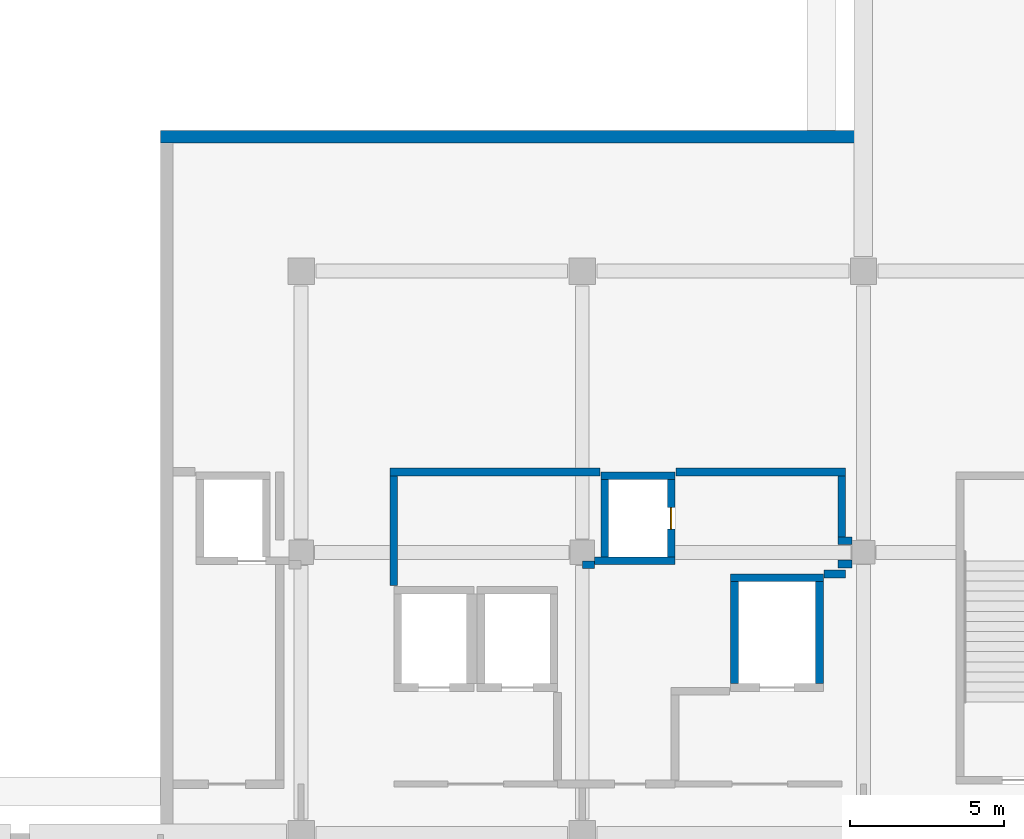
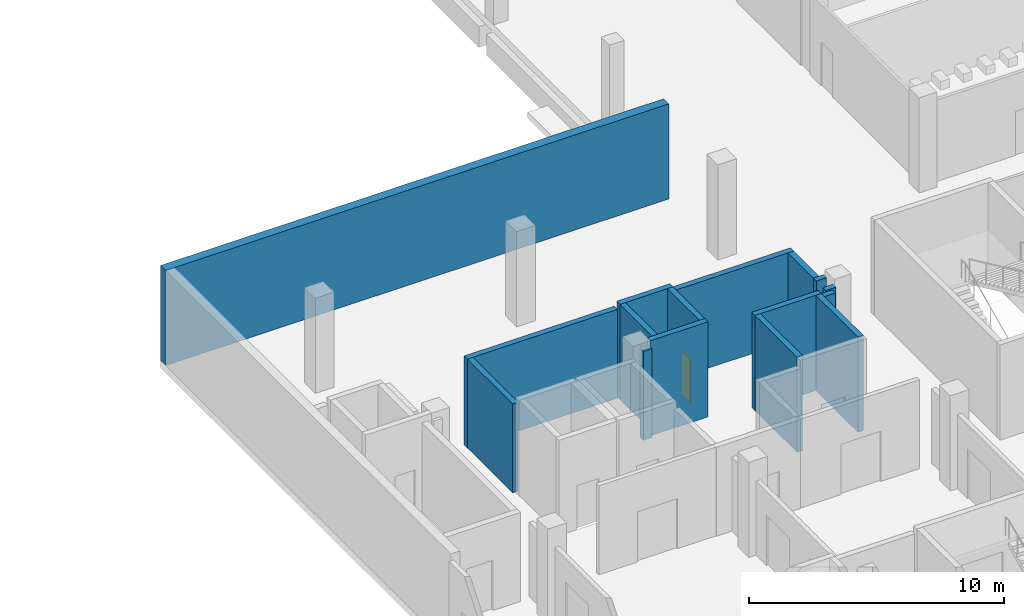
# One storey, part 79 of 126: 16 walls, 1 door, 1 opening.
"""IFC4 building model written with IfcOpenShell, lengths in metres."""

from ifc_helpers import new_model, si_unit, direction, frame, frame_2d, origin, place, context, subcontext, project, spatial, rectangle, extrude, material, layer, layer_set, type_object, element, fill, save


model = new_model("IFC4")

# Units and contexts
model_context = context("Model", 3, precision=1e-05, world=origin(), true_north=direction((0.0, 1.0)))
body_context = subcontext(model_context, "Body", "Model", "MODEL_VIEW")
ifc_project = project(units=[si_unit("LENGTHUNIT", "METRE"), si_unit("AREAUNIT", "SQUARE_METRE"), si_unit("VOLUMEUNIT", "CUBIC_METRE"), si_unit("PLANEANGLEUNIT", "RADIAN"), si_unit("MASSUNIT", "GRAM", prefix="KILO")], contexts=[model_context])

# Site, building, storey
site_placement = place(None, origin())
site = spatial("IfcSite", under=ifc_project, at=site_placement, CompositionType="ELEMENT")
building_placement = place(site_placement, origin())
building = spatial("IfcBuilding", under=site, at=building_placement, Name="Shirokan Park Arena", CompositionType="ELEMENT")
storey_placement = place(building_placement, frame((0.0, 0.0, 6.3701171875)))
storey = spatial("IfcBuildingStorey", under=building, at=storey_placement, Name="L01", CompositionType="ELEMENT", Elevation=6.3701171875)

# Walls
ifc_material_1 = material(Name="Plaster")
ifc_layer_1 = layer(ifc_material_1, 0.014892578125, Name="Plaster")
ifc_material_2 = material(Name="Concrete blockwork", Category="masonry")
ifc_layer_2 = layer(ifc_material_2, 0.219970703125, Name="Concrete blockwork 220")
ifc_layer_3 = layer(ifc_material_1, 0.014892578125, Name="Plaster")
ifc_layer_set_1 = layer_set([ifc_layer_1, ifc_layer_2, ifc_layer_3], Name="Plaster + Concrete blockwork 220")
wall_type_1 = type_object("IfcWallType", Name="Compartment wall 250", PredefinedType="SOLIDWALL", material=ifc_layer_set_1)
wall_1_placement = place(storey_placement, frame((112.074951171875, 29.89990234375, 0.0), z_axis=(0.0, 0.0, 1.0), x_axis=(1.0, 0.0, 0.0)))
element("IfcWall", 1, at=wall_1_placement, inside=storey, type_object=wall_type_1, Name="Compartment wall 250 L01", PredefinedType="SOLIDWALL", context=body_context, shape_type="SweptSolid", body=[
    extrude(rectangle(XDim=6.795166015625, YDim=0.25, at=frame_2d((3.3974609375, 0.0))), origin(), (0.0, 0.0, 1.0), 4.25),
])
wall_2_placement = place(storey_placement, frame((112.199951171875, 26.22998046875, 0.0), z_axis=(0.0, 0.0, 1.0), x_axis=(0.0, 1.0, 0.0)))
element("IfcWall", 2, at=wall_2_placement, inside=storey, type_object=wall_type_1, Name="Compartment wall 250 L01", PredefinedType="SOLIDWALL", context=body_context, shape_type="SweptSolid", body=[
    extrude(rectangle(XDim=3.544921875, YDim=0.25, at=frame_2d((1.7724609375, 0.0))), origin(), (0.0, 0.0, 1.0), 4.25),
])
wall_3_placement = place(storey_placement, frame((118.300048828125, 26.89990234375, 0.0), z_axis=(0.0, 0.0, 1.0), x_axis=(1.0, 0.0, 0.0)))
element("IfcWall", 3, at=wall_3_placement, inside=storey, type_object=wall_type_1, Name="Compartment wall 250 L01", PredefinedType="SOLIDWALL", context=body_context, shape_type="SweptSolid", body=[
    extrude(rectangle(XDim=0.39990234375, YDim=0.25, at=frame_2d((0.199951171875, 0.0))), origin(), (0.0, 0.0, 1.0), 4.25),
])
wall_4_placement = place(storey_placement, frame((121.330078125, 29.89990234375, 0.0), z_axis=(0.0, 0.0, 1.0), x_axis=(1.0, 0.0, 0.0)))
element("IfcWall", 4, at=wall_4_placement, inside=storey, type_object=wall_type_1, Name="Compartment wall 250 L01", PredefinedType="SOLIDWALL", context=body_context, shape_type="SweptSolid", body=[
    extrude(rectangle(XDim=5.494873046875, YDim=0.25, at=frame_2d((2.74755859375, 0.0))), origin(), (0.0, 0.0, 1.0), 4.25),
])
wall_5_placement = place(storey_placement, frame((126.574951171875, 26.925048828125, 0.0), z_axis=(0.0, 0.0, 1.0), x_axis=(1.0, 0.0, 0.0)))
element("IfcWall", 5, at=wall_5_placement, inside=storey, type_object=wall_type_1, Name="Compartment wall 250 L01", PredefinedType="SOLIDWALL", context=body_context, shape_type="SweptSolid", body=[
    extrude(rectangle(XDim=0.449951171875, YDim=0.25, at=frame_2d((0.22509765625, 0.0))), origin(), (0.0, 0.0, 1.0), 4.25),
])
wall_6_placement = place(storey_placement, frame((126.699951171875, 27.800048828125, 0.0), z_axis=(0.0, 0.0, 1.0), x_axis=(0.0, 1.0, 0.0)))
element("IfcWall", 6, at=wall_6_placement, inside=storey, type_object=wall_type_1, Name="Compartment wall 250 L01", PredefinedType="SOLIDWALL", context=body_context, shape_type="SweptSolid", body=[
    extrude(rectangle(XDim=1.974853515625, YDim=0.25, at=frame_2d((0.9873046875, 0.0))), origin(), (0.0, 0.0, 1.0), 4.25),
])
wall_7_placement = place(storey_placement, frame((126.824951171875, 26.60009765625, 0.0), z_axis=(0.0, 0.0, 1.0), x_axis=(-1.0, 0.0, 0.0)))
element("IfcWall", 7, at=wall_7_placement, inside=storey, type_object=wall_type_1, Name="Compartment wall 250 L01", PredefinedType="SOLIDWALL", context=body_context, shape_type="SweptSolid", body=[
    extrude(rectangle(XDim=0.695068359375, YDim=0.25, at=frame_2d((0.34765625, 0.0))), origin(), (0.0, 0.0, 1.0), 4.25),
])
wall_8_placement = place(storey_placement, frame((127.02490234375, 27.675048828125, 0.0), z_axis=(0.0, 0.0, 1.0), x_axis=(-1.0, 0.0, 0.0)))
element("IfcWall", 8, at=wall_8_placement, inside=storey, type_object=wall_type_1, Name="Compartment wall 250 L01", PredefinedType="SOLIDWALL", context=body_context, shape_type="SweptSolid", body=[
    extrude(rectangle(XDim=0.449951171875, YDim=0.25, at=frame_2d((0.22509765625, 0.0))), origin(), (0.0, 0.0, 1.0), 4.25),
])
ifc_material_3 = material(Name="Concrete C35", Category="concrete")
ifc_layer_4 = layer(ifc_material_3, 0.39990234375)
ifc_layer_set_2 = layer_set([ifc_layer_4], Name="Concrete C35 400 mm")
wall_type_2 = type_object("IfcWallType", Name="RC flank wall 400", PredefinedType="SHEAR", material=ifc_layer_set_2)
wall_9_placement = place(storey_placement, frame((104.64990234375, 40.75, 0.0), z_axis=(0.0, 0.0, 1.0), x_axis=(1.0, 0.0, 0.0)))
element("IfcWall", 9, at=wall_9_placement, inside=storey, type_object=wall_type_2, Name="Flank wall E1 L01", PredefinedType="SHEAR", context=body_context, shape_type="SweptSolid", body=[
    extrude(rectangle(XDim=22.75, YDim=0.39990234375, at=frame_2d((11.375, 0.0))), origin(), (0.0, 0.0, 1.0), 4.5498046875),
])
ifc_material_4 = material(Name="Concrete C40/50", Category="concrete")
ifc_layer_5 = layer(ifc_material_4, 0.25)
ifc_layer_set_3 = layer_set([ifc_layer_5], Name="Concrete C40/50 250 mm")
wall_type_3 = type_object("IfcWallType", Name="RC shear wall 250", PredefinedType="SHEAR", material=ifc_layer_set_3)
wall_10_placement = place(storey_placement, frame((121.300048828125, 27.02490234375, 0.0), z_axis=(0.0, 0.0, 1.0), x_axis=(-1.0, 0.0, 0.0)))
element("IfcWall", 10, at=wall_10_placement, inside=storey, type_object=wall_type_3, Name="Shaft wall Services Riser 2.2 S L01", PredefinedType="SHEAR", context=body_context, shape_type="SweptSolid", body=[
    extrude(rectangle(XDim=2.60009765625, YDim=0.25, at=frame_2d((1.300048828125, 0.0))), origin(), (0.0, 0.0, 1.0), 4.5498046875),
])
wall_11_placement = place(storey_placement, frame((121.300048828125, 29.77490234375, 0.0), z_axis=(0.0, 0.0, 1.0), x_axis=(-1.0, 0.0, 0.0)))
element("IfcWall", 11, at=wall_11_placement, inside=storey, type_object=wall_type_3, Name="Shaft wall Services Riser 2.2 N L01", PredefinedType="SHEAR", context=body_context, shape_type="SweptSolid", body=[
    extrude(rectangle(XDim=2.400146484375, YDim=0.25, at=frame_2d((1.2001953125, 0.0))), origin(), (0.0, 0.0, 1.0), 4.5498046875),
])
wall_12_placement = place(storey_placement, frame((119.02490234375, 29.64990234375, 0.0), z_axis=(0.0, 0.0, 1.0), x_axis=(0.0, -1.0, 0.0)))
element("IfcWall", 12, at=wall_12_placement, inside=storey, type_object=wall_type_3, Name="Shaft wall Services Riser 2.2 W L01", PredefinedType="SHEAR", context=body_context, shape_type="SweptSolid", body=[
    extrude(rectangle(XDim=2.5, YDim=0.25, at=frame_2d((1.25, 0.0))), origin(), (0.0, 0.0, 1.0), 4.5498046875),
])

# Wall, opening, door
wall_13_placement = place(storey_placement, frame((121.175048828125, 29.64990234375, 0.0), z_axis=(0.0, 0.0, 1.0), x_axis=(0.0, -1.0, 0.0)))
wall_13 = element("IfcWall", 13, at=wall_13_placement, inside=storey, type_object=wall_type_3, Name="Shaft wall Services Riser 2.2 E L01", PredefinedType="SHEAR", context=body_context, shape_type="SweptSolid", body=[
    extrude(rectangle(XDim=2.5, YDim=0.25, at=frame_2d((1.25, 0.0))), origin(), (0.0, 0.0, 1.0), 4.5498046875),
])
opening_placement = place(wall_13_placement, frame((0.89990234375, 0.0, 0.0)))
opening = element("IfcOpeningElement", 14, at=opening_placement, cuts=wall_13, Name="Opening D-1098", PredefinedType="OPENING", context=body_context, shape_type="SweptSolid", body=[
    extrude(rectangle(XDim=0.699951171875, YDim=2.10009765625, at=frame_2d((0.35009765625, 1.050048828125))), frame((0.0, 0.135009765625, 0.0), z_axis=(0.0, -1.0, 0.0), x_axis=(1.0, 0.0, 0.0)), (0.0, 0.0, 1.0), 0.27001953125),
])
ifc_material_5 = material(Name="Steel door set, fire resisting", Category="steel")
door_type = type_object("IfcDoorType", Name="Mechanical riser door 700 x 2100", OperationType="SINGLE_SWING_LEFT", PredefinedType="DOOR", material=ifc_material_5)
door_placement = place(opening_placement, origin())
door = element("IfcDoor", 15, at=door_placement, inside=storey, type_object=door_type, Name="Riser access door Services Riser 2.2 D-1098", OperationType="SINGLE_SWING_RIGHT", OverallHeight=2.10009765625, OverallWidth=0.699951171875, PredefinedType="DOOR", context=body_context, shape_type="SweptSolid", body=[
    extrude(rectangle(XDim=0.699951171875, YDim=2.10009765625, at=frame_2d((0.35009765625, 1.050048828125))), frame((0.0, 0.02490234375, 0.0), z_axis=(0.0, -1.0, 0.0), x_axis=(1.0, 0.0, 0.0)), (0.0, 0.0, 1.0), 0.050048828125),
])
fill(opening, door)

# Walls
wall_14_placement = place(storey_placement, frame((126.10009765625, 26.47509765625, 0.0), z_axis=(0.0, 0.0, 1.0), x_axis=(-1.0, 0.0, 0.0)))
element("IfcWall", 16, at=wall_14_placement, inside=storey, type_object=wall_type_3, Name="Shaft wall Service Lift 2 N L01", PredefinedType="SHEAR", context=body_context, shape_type="SweptSolid", body=[
    extrude(rectangle(XDim=3.0, YDim=0.25, at=frame_2d((1.5, 0.0))), origin(), (0.0, 0.0, 1.0), 4.5498046875),
])
for number, where, z_axis, x_axis, name in (
    (17, (123.22509765625, 26.35009765625, 0.0), (0.0, 0.0, 1.0), (0.0, -1.0, 0.0), "Shaft wall Service Lift 2 W L01"),
    (18, (125.97509765625, 26.35009765625, 0.0), (0.0, 0.0, 1.0), (0.0, -1.0, 0.0), "Shaft wall Service Lift 2 E L01"),
):
    element("IfcWall", number, at=place(storey_placement, frame(where, z_axis=z_axis, x_axis=x_axis)), inside=storey, type_object=wall_type_3, Name=name, PredefinedType="SHEAR", context=body_context, shape_type="SweptSolid", body=[
        extrude(rectangle(XDim=3.300048828125, YDim=0.25, at=frame_2d((1.64990234375, 0.0))), origin(), (0.0, 0.0, 1.0), 4.5498046875),
    ])

save(model, "model.ifc")
